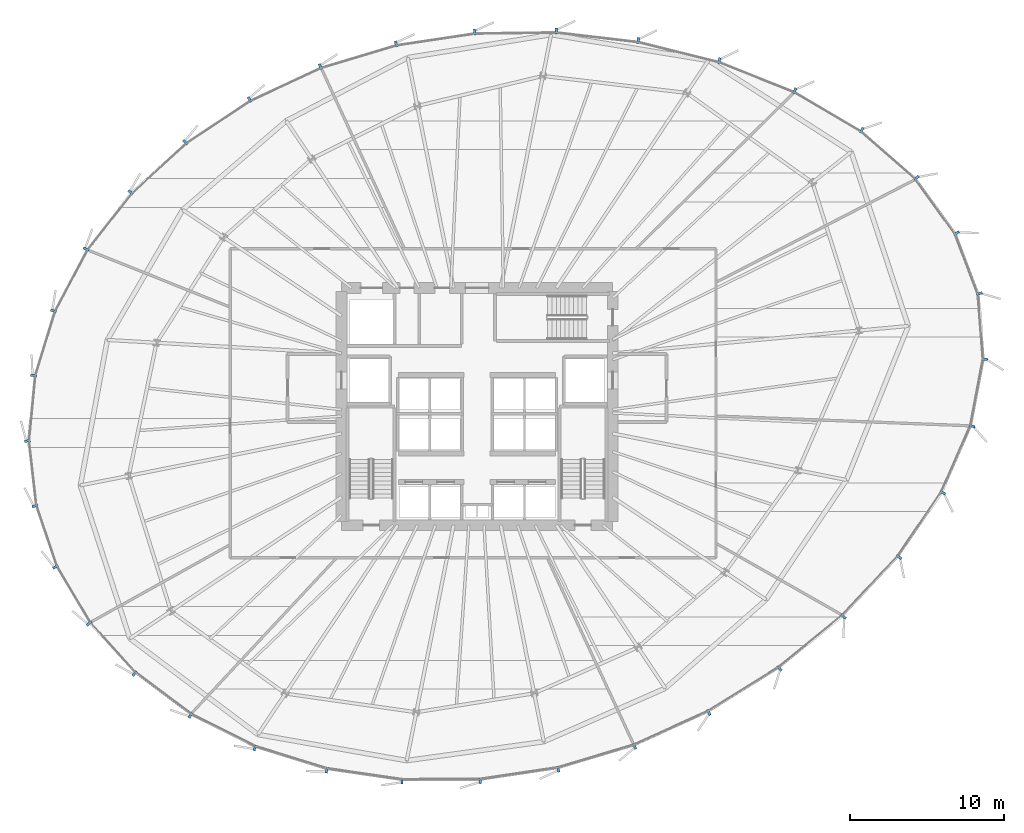
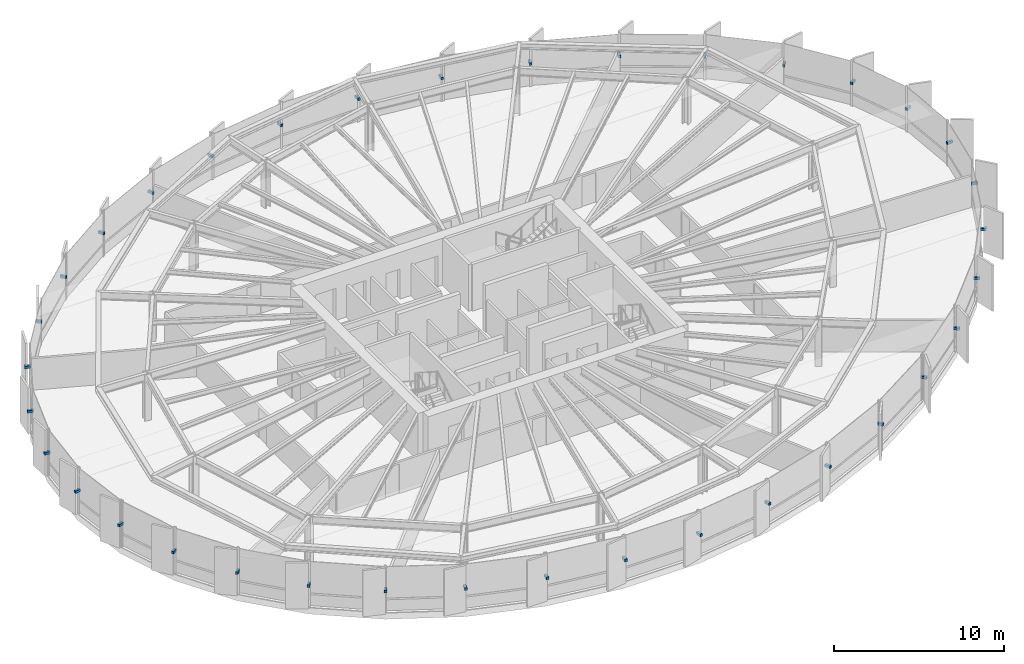
# One storey, part 31 of 35: 36 discrete accessories.
"""IFC4 building model written with IfcOpenShell, lengths in metres."""

from ifc_helpers import new_model, si_unit, direction, frame, origin, origin_2d, place, context, subcontext, project, spatial, rectangle, extrude, source, transform, mapped, material, type_object, element, save


model = new_model("IFC4")

# Units and contexts
model_context = context("Model", 3, precision=1e-05, world=origin(), true_north=direction((0.0, 1.0)))
body_context = subcontext(model_context, "Body", "Model", "MODEL_VIEW")
ifc_project = project(units=[si_unit("LENGTHUNIT", "METRE"), si_unit("AREAUNIT", "SQUARE_METRE"), si_unit("VOLUMEUNIT", "CUBIC_METRE"), si_unit("PLANEANGLEUNIT", "RADIAN"), si_unit("MASSUNIT", "GRAM", prefix="KILO"), si_unit("THERMODYNAMICTEMPERATUREUNIT", "KELVIN")], contexts=[model_context])

# Site, building, storey
site_placement = place(None, origin())
site = spatial("IfcSite", under=ifc_project, at=site_placement, CompositionType="ELEMENT")
building_placement = place(site_placement, origin())
building = spatial("IfcBuilding", under=site, at=building_placement, Name="Kethvar Cultural Tower", CompositionType="ELEMENT")
storey_placement = place(building_placement, frame((0.0, 0.0, 85.60009765625)))
storey = spatial("IfcBuildingStorey", under=building, at=storey_placement, Name="L20", CompositionType="ELEMENT", Elevation=85.60009765625)

# Discrete accessories
ifc_material = material(Name="Steel S355J2", Category="steel")
discrete_accessory_type = type_object("IfcDiscreteAccessoryType", Name="Steel Fin Bracket BRK-01", PredefinedType="BRACKET", material=ifc_material)
shared_shape = source(origin(), body_context, "Body", "SweptSolid", [
    extrude(rectangle(XDim=0.3798828125, YDim=0.159912109375, at=origin_2d()), origin(), (0.0, 0.0, 1.0), 0.179931640625),
])
for number, where, z_axis, x_axis, name in (
    (1, (79.412841796875, 35.130859375, 1.5849609375), (0.0, 0.0, 1.0), (0.935320587845, 0.353801353804, 0.0), "L20 Terracotta Fin Bracket 1.1"),
    (2, (77.928955078125, 39.053955078125, 1.5849609375), (0.0, 0.0, 1.0), (0.809529625656, 0.587079028057, 0.0), "L20 Terracotta Fin Bracket 1.2"),
    (3, (75.33056640625, 42.63623046875, 1.5849609375), (0.0, 0.0, 1.0), (0.657243714159, 0.753678114448, 0.0), "L20 Terracotta Fin Bracket 1.3"),
    (4, (71.765625, 45.745361328125, 1.5849609375), (0.0, 0.0, 1.0), (0.507688737887, 0.861540565163, 0.0), "L20 Terracotta Fin Bracket 1.4"),
    (5, (67.422607421875, 48.304443359375, 1.5849609375), (0.0, 0.0, 1.0), (0.369908915867, 0.9290680244, 0.0), "L20 Terracotta Fin Bracket 1.5"),
    (6, (62.521728515625, 50.256103515625, 1.5849609375), (0.0, 0.0, 1.0), (0.241583183765, 0.970380113833, 0.0), "L20 Terracotta Fin Bracket 1.6"),
    (7, (57.252685546875, 51.56298828125, 1.5849609375), (0.0, 0.0, 1.0), (0.116150698194, 0.993231602049, 0.0), "L20 Terracotta Fin Bracket 2.1"),
    (8, (51.943359375, 52.18408203125, 1.5849609375), (0.0, 0.0, 1.0), (-0.012740558836, 0.999918835786, 0.0), "L20 Terracotta Fin Bracket 2.2"),
    (9, (46.652099609375, 52.116455078125, 1.5849609375), (0.0, 0.0, 1.0), (-0.14849983838, 0.988912431918, 0.0), "L20 Terracotta Fin Bracket 2.3"),
    (10, (41.53564453125, 51.348388671875, 1.5849609375), (0.0, 0.0, 1.0), (-0.28736051985, 0.957822494845, 0.0), "L20 Terracotta Fin Bracket 2.4"),
    (11, (36.628173828125, 49.875732421875, 1.5849609375), (0.0, 0.0, 1.0), (-0.422460074755, 0.906381534034, 0.0), "L20 Terracotta Fin Bracket 2.5"),
    (12, (32.029541015625, 47.732421875, 1.5849609375), (0.0, 0.0, 1.0), (-0.552228032744, 0.833693108915, 0.0), "L20 Terracotta Fin Bracket 2.6"),
    (13, (27.85107421875, 44.95703125, 1.5849609375), (0.0, 0.0, 1.0), (-0.675075326339, 0.737748808042, 0.0), "L20 Terracotta Fin Bracket 3.1"),
    (14, (24.304931640625, 41.71240234375, 1.5849609375), (0.0, 0.0, 1.0), (-0.78736560246, 0.616486340532, 0.0), "L20 Terracotta Fin Bracket 3.2"),
    (15, (21.4130859375, 38.018310546875, 1.5849609375), (0.0, 0.0, 1.0), (-0.883765630089, 0.467929814261, 0.0), "L20 Terracotta Fin Bracket 3.3"),
    (16, (19.29296875, 34.013916015625, 1.5849609375), (0.0, 0.0, 1.0), (-0.956151539415, 0.292872384621, 0.0), "L20 Terracotta Fin Bracket 3.4"),
    (17, (18.008544921875, 29.820556640625, 1.5849609375), (0.0, 0.0, 1.0), (-0.995396198367, 0.09584575252, 0.0), "L20 Terracotta Fin Bracket 3.5"),
    (18, (17.59912109375, 25.5654296875, 1.5849609375), (0.0, 0.0, 1.0), (-0.993552082856, -0.113376623045, 0.0), "L20 Terracotta Fin Bracket 3.6"),
    (19, (18.08935546875, 21.341552734375, 1.5849609375), (0.0, 0.0, 1.0), (-0.947266220842, -0.320447666323, 0.0), "L20 Terracotta Fin Bracket 4.1"),
    (20, (19.427490234375, 17.38671875, 1.5849609375), (0.0, 0.0, 1.0), (-0.859852271597, -0.510542917912, 0.0), "L20 Terracotta Fin Bracket 4.2"),
    (21, (21.610107421875, 13.71142578125, 1.5849609375), (0.0, 0.0, 1.0), (-0.740452782677, -0.672108381607, 0.0), "L20 Terracotta Fin Bracket 4.3"),
    (22, (24.55810546875, 10.46435546875, 1.5849609375), (0.0, 0.0, 1.0), (-0.600420225326, -0.799684658487, 0.0), "L20 Terracotta Fin Bracket 4.4"),
    (23, (28.181640625, 7.743896484375, 1.5849609375), (0.0, 0.0, 1.0), (-0.449942579956, -0.893057486807, 0.0), "L20 Terracotta Fin Bracket 4.5"),
    (24, (32.370849609375, 5.633056640625, 1.5849609375), (0.0, 0.0, 1.0), (-0.296708252883, -0.954968173643, 0.0), "L20 Terracotta Fin Bracket 4.6"),
    (25, (37.036865234375, 4.190185546875, 1.5849609375), (0.0, 0.0, 1.0), (-0.14470160186, -0.989475338965, 0.0), "L20 Terracotta Fin Bracket 5.1"),
    (26, (41.923583984375, 3.4755859375, 1.5849609375), (0.0, 0.0, 1.0), (0.003665183223, -0.999993283193, 0.0), "L20 Terracotta Fin Bracket 5.2"),
    (27, (46.9970703125, 3.494384765625, 1.5849609375), (0.0, 0.0, 1.0), (0.14780941113, -0.989015863362, 0.0), "L20 Terracotta Fin Bracket 5.3"),
    (28, (52.064208984375, 4.251708984375, 1.5849609375), (0.0, 0.0, 1.0), (0.286691763629, -0.958022876902, 0.0), "L20 Terracotta Fin Bracket 5.4"),
    (29, (57.02099609375, 5.7353515625, 1.5849609375), (0.0, 0.0, 1.0), (0.414216731225, -0.910178279005, 0.0), "L20 Terracotta Fin Bracket 5.5"),
    (30, (61.837158203125, 7.92724609375, 1.5849609375), (0.0, 0.0, 1.0), (0.527993741769, -0.849248260906, 0.0), "L20 Terracotta Fin Bracket 5.6"),
    (31, (66.440185546875, 10.795166015625, 1.5849609375), (0.0, 0.0, 1.0), (0.631758757508, -0.775165061333, 0.0), "L20 Terracotta Fin Bracket 6.1"),
    (32, (70.587890625, 14.176025390625, 1.5849609375), (0.0, 0.0, 1.0), (0.73028151927, -0.683146325917, 0.0), "L20 Terracotta Fin Bracket 6.2"),
    (33, (74.191162109375, 18.02880859375, 1.5849609375), (0.0, 0.0, 1.0), (0.826196635763, -0.563381859003, 0.0), "L20 Terracotta Fin Bracket 6.3"),
    (34, (77.03125, 22.19384765625, 1.5849609375), (0.0, 0.0, 1.0), (0.91566259334, -0.401947776656, 0.0), "L20 Terracotta Fin Bracket 6.4"),
    (35, (78.932861328125, 26.525634765625, 1.5849609375), (0.0, 0.0, 1.0), (0.982450397726, -0.186524036009, 0.0), "L20 Terracotta Fin Bracket 6.5"),
    (36, (79.75830078125, 30.873779296875, 1.5849609375), (0.0, 0.0, 1.0), (0.996931012245, 0.078285099635, 0.0), "L20 Terracotta Fin Bracket 6.6"),
):
    element("IfcDiscreteAccessory", number, at=place(storey_placement, frame(where, z_axis=z_axis, x_axis=x_axis)), inside=storey, type_object=discrete_accessory_type, Name=name, PredefinedType="BRACKET", context=body_context, shape_type="MappedRepresentation", body=[
        mapped(shared_shape, transform((0.0, 0.0, 0.0), scale=1.0)),
    ])

save(model, "model.ifc")
